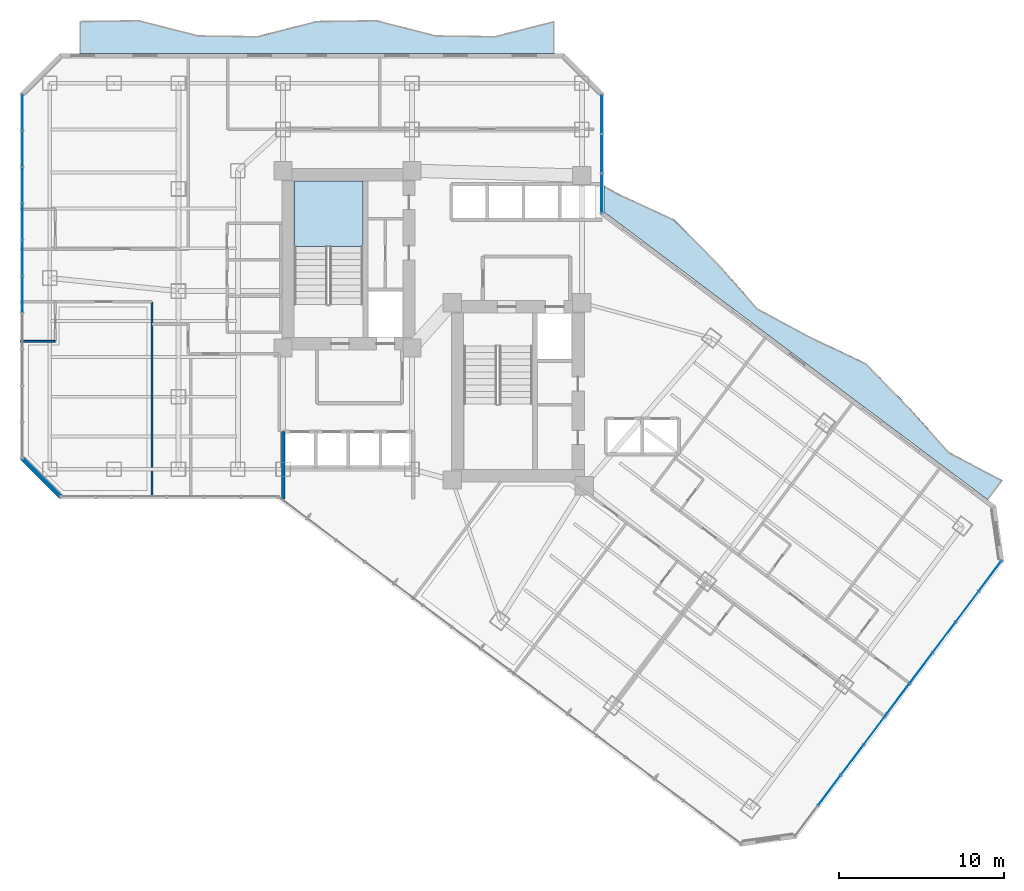
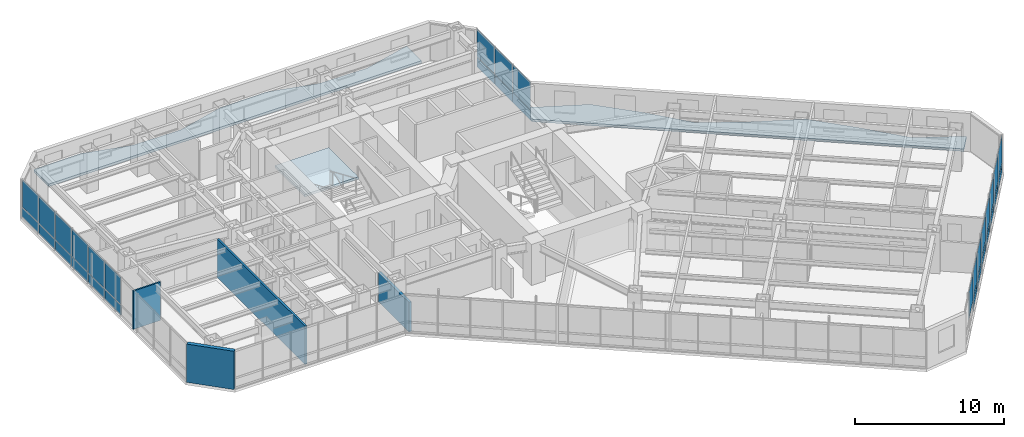
# One storey, part 27 of 36: 33 plates, 4 walls, 3 slabs, 4 elements without a shape of their own.
"""IFC4 building model written with IfcOpenShell, lengths in metres."""

from ifc_helpers import new_model, si_unit, direction, frame, frame_2d, origin, origin_2d, place, context, subcontext, project, spatial, polyline, rectangle, outline, extrude, material, layer, layer_set, type_object, element, aggregate, save


model = new_model("IFC4")

# Units and contexts
model_context = context("Model", 3, precision=1e-05, world=origin(), true_north=direction((0.0, 1.0)))
body_context = subcontext(model_context, "Body", "Model", "MODEL_VIEW")
ifc_project = project(units=[si_unit("LENGTHUNIT", "METRE"), si_unit("AREAUNIT", "SQUARE_METRE"), si_unit("VOLUMEUNIT", "CUBIC_METRE"), si_unit("PLANEANGLEUNIT", "RADIAN"), si_unit("MASSUNIT", "GRAM", prefix="KILO")], contexts=[model_context])

# Site, building, storey
site_placement = place(None, origin())
site = spatial("IfcSite", under=ifc_project, at=site_placement, CompositionType="ELEMENT")
building_placement = place(site_placement, origin())
building = spatial("IfcBuilding", under=site, at=building_placement, Name="Hatsunagi Terrace Concourse", CompositionType="ELEMENT")
storey_placement = place(building_placement, frame((0.0, 0.0, 84.64990234375)))
storey = spatial("IfcBuildingStorey", under=building, at=storey_placement, Name="L22", CompositionType="ELEMENT", Elevation=84.64990234375)

# Curtain wall, plates
ifc_material_1 = material(Name="Anodised Aluminium Alloy 6063-T5", Category="aluminium")
ifc_layer_1 = layer(ifc_material_1, 0.199951171875)
ifc_layer_set_1 = layer_set([ifc_layer_1], Name="HotelFacade_CW02")
curtain_wall_type = type_object("IfcCurtainWallType", Name="HotelFacade_CW02", PredefinedType="NOTDEFINED", material=ifc_layer_set_1)
curtain_wall_1_placement = place(storey_placement, origin())
curtain_wall_1 = element("IfcCurtainWall", 1, at=curtain_wall_1_placement, inside=storey, type_object=curtain_wall_type, Name="Unitised Curtain Wall CW-02 CW-L22-03", PredefinedType="NOTDEFINED")
ifc_material_2 = material(Name="Warm Terracotta Ceramic Spandrel Panel", Category="masonry")
ifc_layer_2 = layer(ifc_material_2, 0.031982421875)
ifc_layer_set_2 = layer_set([ifc_layer_2], Name="CurtainWallSpandrelPanel_32")
plate_type_1 = type_object("IfcPlateType", Name="CurtainWallSpandrelPanel_32", PredefinedType="SHEET", material=ifc_layer_set_2)
plate_1_placement = place(storey_placement, frame((68.39697265625, 18.72998046875, 0.030029296875), z_axis=(0.0, 0.0, 1.0), x_axis=(-0.599969314634, -0.800023013105, 0.0)))
plate_1 = element("IfcPlate", 2, at=plate_1_placement, type_object=plate_type_1, Name="Terracotta Spandrel Panel SPN-01", PredefinedType="SHEET", context=body_context, shape_type="SweptSolid", body=[
    extrude(rectangle(XDim=2.264892578125, YDim=0.031982421875, at=origin_2d()), origin(), (0.0, 0.0, 1.0), 0.7900390625),
])
plate_2_placement = place(storey_placement, frame((67.0048828125, 16.873046875, 0.030029296875), z_axis=(0.0, 0.0, 1.0), x_axis=(-0.599969314634, -0.800023013105, 0.0)))
plate_2 = element("IfcPlate", 3, at=plate_2_placement, type_object=plate_type_1, Name="Terracotta Spandrel Panel SPN-01", PredefinedType="SHEET", context=body_context, shape_type="SweptSolid", body=[
    extrude(rectangle(XDim=2.264892578125, YDim=0.031982421875, at=origin_2d()), origin(), (0.0, 0.0, 1.0), 0.7900390625),
])
plate_3_placement = place(storey_placement, frame((65.612060546875, 15.01708984375, 0.030029296875), z_axis=(0.0, 0.0, 1.0), x_axis=(-0.599969314634, -0.800023013105, 0.0)))
plate_3 = element("IfcPlate", 4, at=plate_3_placement, type_object=plate_type_1, Name="Terracotta Spandrel Panel SPN-01", PredefinedType="SHEET", context=body_context, shape_type="SweptSolid", body=[
    extrude(rectangle(XDim=2.264892578125, YDim=0.031982421875, at=origin_2d()), origin(), (0.0, 0.0, 1.0), 0.7900390625),
])
plate_4_placement = place(storey_placement, frame((64.219970703125, 13.159912109375, 0.030029296875), z_axis=(0.0, 0.0, 1.0), x_axis=(-0.599969314634, -0.800023013105, 0.0)))
plate_4 = element("IfcPlate", 5, at=plate_4_placement, type_object=plate_type_1, Name="Terracotta Spandrel Panel SPN-01", PredefinedType="SHEET", context=body_context, shape_type="SweptSolid", body=[
    extrude(rectangle(XDim=2.264892578125, YDim=0.031982421875, at=origin_2d()), origin(), (0.0, 0.0, 1.0), 0.7900390625),
])
plate_5_placement = place(storey_placement, frame((62.827880859375, 11.303955078125, 0.030029296875), z_axis=(0.0, 0.0, 1.0), x_axis=(-0.599969314634, -0.800023013105, 0.0)))
plate_5 = element("IfcPlate", 6, at=plate_5_placement, type_object=plate_type_1, Name="Terracotta Spandrel Panel SPN-01", PredefinedType="SHEET", context=body_context, shape_type="SweptSolid", body=[
    extrude(rectangle(XDim=2.264892578125, YDim=0.031982421875, at=origin_2d()), origin(), (0.0, 0.0, 1.0), 0.7900390625),
])
plate_6_placement = place(storey_placement, frame((61.43603515625, 9.447998046875, 0.030029296875), z_axis=(0.0, 0.0, 1.0), x_axis=(-0.599969314634, -0.800023013105, 0.0)))
plate_6 = element("IfcPlate", 7, at=plate_6_placement, type_object=plate_type_1, Name="Terracotta Spandrel Panel SPN-01", PredefinedType="SHEET", context=body_context, shape_type="SweptSolid", body=[
    extrude(rectangle(XDim=2.264892578125, YDim=0.031982421875, at=origin_2d()), origin(), (0.0, 0.0, 1.0), 0.7900390625),
])
plate_7_placement = place(storey_placement, frame((60.0439453125, 7.591064453125, 0.030029296875), z_axis=(0.0, 0.0, 1.0), x_axis=(-0.599969314634, -0.800023013105, 0.0)))
plate_7 = element("IfcPlate", 8, at=plate_7_placement, type_object=plate_type_1, Name="Terracotta Spandrel Panel SPN-01", PredefinedType="SHEET", context=body_context, shape_type="SweptSolid", body=[
    extrude(rectangle(XDim=2.264892578125, YDim=0.031982421875, at=origin_2d()), origin(), (0.0, 0.0, 1.0), 0.7900390625),
])

curtain_wall_2_placement = place(storey_placement, origin())
curtain_wall_2 = element("IfcCurtainWall", 9, at=curtain_wall_2_placement, inside=storey, type_object=curtain_wall_type, Name="Unitised Curtain Wall CW-02 CW-L22-09", PredefinedType="NOTDEFINED")
plate_8_placement = place(storey_placement, frame((9.739990234375, 35.7958984375, 0.030029296875), z_axis=(0.0, 0.0, 1.0), x_axis=(0.0, 1.0, 0.0)))
plate_8 = element("IfcPlate", 10, at=plate_8_placement, type_object=plate_type_1, Name="Terracotta Spandrel Panel SPN-01", PredefinedType="SHEET", context=body_context, shape_type="SweptSolid", body=[
    extrude(rectangle(XDim=2.153076171875, YDim=0.031982421875, at=origin_2d()), origin(), (0.0, 0.0, 1.0), 0.7900390625),
])
plate_9_placement = place(storey_placement, frame((9.739990234375, 38.00390625, 0.030029296875), z_axis=(0.0, 0.0, 1.0), x_axis=(0.0, 1.0, 0.0)))
plate_9 = element("IfcPlate", 11, at=plate_9_placement, type_object=plate_type_1, Name="Terracotta Spandrel Panel SPN-01", PredefinedType="SHEET", context=body_context, shape_type="SweptSolid", body=[
    extrude(rectangle(XDim=2.153076171875, YDim=0.031982421875, at=origin_2d()), origin(), (0.0, 0.0, 1.0), 0.7900390625),
])
plate_10_placement = place(storey_placement, frame((9.739990234375, 40.212890625, 0.030029296875), z_axis=(0.0, 0.0, 1.0), x_axis=(0.0, 1.0, 0.0)))
plate_10 = element("IfcPlate", 12, at=plate_10_placement, type_object=plate_type_1, Name="Terracotta Spandrel Panel SPN-01", PredefinedType="SHEET", context=body_context, shape_type="SweptSolid", body=[
    extrude(rectangle(XDim=2.153076171875, YDim=0.031982421875, at=origin_2d()), origin(), (0.0, 0.0, 1.0), 0.7900390625),
])
plate_11_placement = place(storey_placement, frame((9.739990234375, 42.4208984375, 0.030029296875), z_axis=(0.0, 0.0, 1.0), x_axis=(0.0, 1.0, 0.0)))
plate_11 = element("IfcPlate", 13, at=plate_11_placement, type_object=plate_type_1, Name="Terracotta Spandrel Panel SPN-01", PredefinedType="SHEET", context=body_context, shape_type="SweptSolid", body=[
    extrude(rectangle(XDim=2.153076171875, YDim=0.031982421875, at=origin_2d()), origin(), (0.0, 0.0, 1.0), 0.7900390625),
])
plate_12_placement = place(storey_placement, frame((9.739990234375, 44.62890625, 0.030029296875), z_axis=(0.0, 0.0, 1.0), x_axis=(0.0, 1.0, 0.0)))
plate_12 = element("IfcPlate", 14, at=plate_12_placement, type_object=plate_type_1, Name="Terracotta Spandrel Panel SPN-01", PredefinedType="SHEET", context=body_context, shape_type="SweptSolid", body=[
    extrude(rectangle(XDim=2.153076171875, YDim=0.031982421875, at=origin_2d()), origin(), (0.0, 0.0, 1.0), 0.7900390625),
])
plate_13_placement = place(storey_placement, frame((9.739990234375, 46.837890625, 0.030029296875), z_axis=(0.0, 0.0, 1.0), x_axis=(0.0, 1.0, 0.0)))
plate_13 = element("IfcPlate", 15, at=plate_13_placement, type_object=plate_type_1, Name="Terracotta Spandrel Panel SPN-01", PredefinedType="SHEET", context=body_context, shape_type="SweptSolid", body=[
    extrude(rectangle(XDim=2.153076171875, YDim=0.031982421875, at=origin_2d()), origin(), (0.0, 0.0, 1.0), 0.7900390625),
])

curtain_wall_3_placement = place(storey_placement, origin())
curtain_wall_3 = element("IfcCurtainWall", 16, at=curtain_wall_3_placement, inside=storey, type_object=curtain_wall_type, Name="Unitised Curtain Wall CW-02 CW-L22-13", PredefinedType="NOTDEFINED")
plate_14_placement = place(storey_placement, frame((44.860107421875, 46.739990234375, 0.030029296875), z_axis=(0.0, 0.0, 1.0), x_axis=(0.0, -1.0, 0.0)))
plate_14 = element("IfcPlate", 17, at=plate_14_placement, type_object=plate_type_1, Name="Terracotta Spandrel Panel SPN-01", PredefinedType="SHEET", context=body_context, shape_type="SweptSolid", body=[
    extrude(rectangle(XDim=2.34912109375, YDim=0.031982421875, at=origin_2d()), origin(), (0.0, 0.0, 1.0), 0.7900390625),
])
plate_15_placement = place(storey_placement, frame((44.860107421875, 44.3359375, 0.030029296875), z_axis=(0.0, 0.0, 1.0), x_axis=(0.0, -1.0, 0.0)))
plate_15 = element("IfcPlate", 18, at=plate_15_placement, type_object=plate_type_1, Name="Terracotta Spandrel Panel SPN-01", PredefinedType="SHEET", context=body_context, shape_type="SweptSolid", body=[
    extrude(rectangle(XDim=2.34912109375, YDim=0.031982421875, at=origin_2d()), origin(), (0.0, 0.0, 1.0), 0.7900390625),
])
plate_16_placement = place(storey_placement, frame((44.860107421875, 41.931884765625, 0.030029296875), z_axis=(0.0, 0.0, 1.0), x_axis=(0.0, -1.0, 0.0)))
plate_16 = element("IfcPlate", 19, at=plate_16_placement, type_object=plate_type_1, Name="Terracotta Spandrel Panel SPN-01", PredefinedType="SHEET", context=body_context, shape_type="SweptSolid", body=[
    extrude(rectangle(XDim=2.34912109375, YDim=0.031982421875, at=origin_2d()), origin(), (0.0, 0.0, 1.0), 0.7900390625),
])

# Plate
ifc_material_3 = material(Name="Low-E Double Insulating Glass 28mm", Category="glass")
ifc_layer_3 = layer(ifc_material_3, 0.028076171875)
ifc_layer_set_3 = layer_set([ifc_layer_3], Name="CurtainWallVisionGlass_28")
plate_type_2 = type_object("IfcPlateType", Name="CurtainWallVisionGlass_28", PredefinedType="CURTAIN_PANEL", material=ifc_layer_set_3)
plate_17_placement = place(storey_placement, frame((68.39697265625, 18.72998046875, 0.8798828125), z_axis=(0.0, 0.0, 1.0), x_axis=(-0.599969314634, -0.800023013105, 0.0)))
plate_17 = element("IfcPlate", 20, at=plate_17_placement, type_object=plate_type_2, Name="Low-E Vision Glass Panel GLZ-01", PredefinedType="CURTAIN_PANEL", context=body_context, shape_type="SweptSolid", body=[
    extrude(rectangle(XDim=2.264892578125, YDim=0.028076171875, at=origin_2d()), origin(), (0.0, 0.0, 1.0), 2.219970703125),
])

plate_18_placement = place(storey_placement, frame((67.0048828125, 16.873046875, 0.8798828125), z_axis=(0.0, 0.0, 1.0), x_axis=(-0.599969314634, -0.800023013105, 0.0)))
plate_18 = element("IfcPlate", 21, at=plate_18_placement, type_object=plate_type_2, Name="Low-E Vision Glass Panel GLZ-01", PredefinedType="CURTAIN_PANEL", context=body_context, shape_type="SweptSolid", body=[
    extrude(rectangle(XDim=2.264892578125, YDim=0.028076171875, at=origin_2d()), origin(), (0.0, 0.0, 1.0), 2.219970703125),
])

plate_19_placement = place(storey_placement, frame((65.612060546875, 15.01708984375, 0.8798828125), z_axis=(0.0, 0.0, 1.0), x_axis=(-0.599969314634, -0.800023013105, 0.0)))
plate_19 = element("IfcPlate", 22, at=plate_19_placement, type_object=plate_type_2, Name="Low-E Vision Glass Panel GLZ-01", PredefinedType="CURTAIN_PANEL", context=body_context, shape_type="SweptSolid", body=[
    extrude(rectangle(XDim=2.264892578125, YDim=0.028076171875, at=origin_2d()), origin(), (0.0, 0.0, 1.0), 2.219970703125),
])

plate_20_placement = place(storey_placement, frame((64.219970703125, 13.159912109375, 0.8798828125), z_axis=(0.0, 0.0, 1.0), x_axis=(-0.599969314634, -0.800023013105, 0.0)))
plate_20 = element("IfcPlate", 23, at=plate_20_placement, type_object=plate_type_2, Name="Low-E Vision Glass Panel GLZ-01", PredefinedType="CURTAIN_PANEL", context=body_context, shape_type="SweptSolid", body=[
    extrude(rectangle(XDim=2.264892578125, YDim=0.028076171875, at=origin_2d()), origin(), (0.0, 0.0, 1.0), 2.219970703125),
])

plate_21_placement = place(storey_placement, frame((62.827880859375, 11.303955078125, 0.8798828125), z_axis=(0.0, 0.0, 1.0), x_axis=(-0.599969314634, -0.800023013105, 0.0)))
plate_21 = element("IfcPlate", 24, at=plate_21_placement, type_object=plate_type_2, Name="Low-E Vision Glass Panel GLZ-01", PredefinedType="CURTAIN_PANEL", context=body_context, shape_type="SweptSolid", body=[
    extrude(rectangle(XDim=2.264892578125, YDim=0.028076171875, at=origin_2d()), origin(), (0.0, 0.0, 1.0), 2.219970703125),
])

plate_22_placement = place(storey_placement, frame((61.43603515625, 9.447998046875, 0.8798828125), z_axis=(0.0, 0.0, 1.0), x_axis=(-0.599969314634, -0.800023013105, 0.0)))
plate_22 = element("IfcPlate", 25, at=plate_22_placement, type_object=plate_type_2, Name="Low-E Vision Glass Panel GLZ-01", PredefinedType="CURTAIN_PANEL", context=body_context, shape_type="SweptSolid", body=[
    extrude(rectangle(XDim=2.264892578125, YDim=0.028076171875, at=origin_2d()), origin(), (0.0, 0.0, 1.0), 2.219970703125),
])

plate_23_placement = place(storey_placement, frame((60.0439453125, 7.591064453125, 0.8798828125), z_axis=(0.0, 0.0, 1.0), x_axis=(-0.599969314634, -0.800023013105, 0.0)))
plate_23 = element("IfcPlate", 26, at=plate_23_placement, type_object=plate_type_2, Name="Low-E Vision Glass Panel GLZ-01", PredefinedType="CURTAIN_PANEL", context=body_context, shape_type="SweptSolid", body=[
    extrude(rectangle(XDim=2.264892578125, YDim=0.028076171875, at=origin_2d()), origin(), (0.0, 0.0, 1.0), 2.219970703125),
])

plate_24_placement = place(storey_placement, frame((58.65087890625, 5.735107421875, 0.8798828125), z_axis=(0.0, 0.0, 1.0), x_axis=(-0.599969314634, -0.800023013105, 0.0)))
plate_24 = element("IfcPlate", 27, at=plate_24_placement, type_object=plate_type_2, Name="Low-E Vision Glass Panel GLZ-01", PredefinedType="CURTAIN_PANEL", context=body_context, shape_type="SweptSolid", body=[
    extrude(rectangle(XDim=2.264892578125, YDim=0.028076171875, at=origin_2d()), origin(), (0.0, 0.0, 1.0), 2.219970703125),
])

aggregate(curtain_wall_1, [plate_1, plate_17, plate_2, plate_18, plate_3, plate_19, plate_4, plate_20, plate_5, plate_21, plate_6, plate_22, plate_7, plate_23, plate_24])

plate_25_placement = place(storey_placement, frame((9.739990234375, 35.7958984375, 0.8798828125), z_axis=(0.0, 0.0, 1.0), x_axis=(0.0, 1.0, 0.0)))
plate_25 = element("IfcPlate", 28, at=plate_25_placement, type_object=plate_type_2, Name="Low-E Vision Glass Panel GLZ-01", PredefinedType="CURTAIN_PANEL", context=body_context, shape_type="SweptSolid", body=[
    extrude(rectangle(XDim=2.153076171875, YDim=0.028076171875, at=origin_2d()), origin(), (0.0, 0.0, 1.0), 2.219970703125),
])

plate_26_placement = place(storey_placement, frame((9.739990234375, 38.00390625, 0.8798828125), z_axis=(0.0, 0.0, 1.0), x_axis=(0.0, 1.0, 0.0)))
plate_26 = element("IfcPlate", 29, at=plate_26_placement, type_object=plate_type_2, Name="Low-E Vision Glass Panel GLZ-01", PredefinedType="CURTAIN_PANEL", context=body_context, shape_type="SweptSolid", body=[
    extrude(rectangle(XDim=2.153076171875, YDim=0.028076171875, at=origin_2d()), origin(), (0.0, 0.0, 1.0), 2.219970703125),
])

plate_27_placement = place(storey_placement, frame((9.739990234375, 40.212890625, 0.8798828125), z_axis=(0.0, 0.0, 1.0), x_axis=(0.0, 1.0, 0.0)))
plate_27 = element("IfcPlate", 30, at=plate_27_placement, type_object=plate_type_2, Name="Low-E Vision Glass Panel GLZ-01", PredefinedType="CURTAIN_PANEL", context=body_context, shape_type="SweptSolid", body=[
    extrude(rectangle(XDim=2.153076171875, YDim=0.028076171875, at=origin_2d()), origin(), (0.0, 0.0, 1.0), 2.219970703125),
])

plate_28_placement = place(storey_placement, frame((9.739990234375, 42.4208984375, 0.8798828125), z_axis=(0.0, 0.0, 1.0), x_axis=(0.0, 1.0, 0.0)))
plate_28 = element("IfcPlate", 31, at=plate_28_placement, type_object=plate_type_2, Name="Low-E Vision Glass Panel GLZ-01", PredefinedType="CURTAIN_PANEL", context=body_context, shape_type="SweptSolid", body=[
    extrude(rectangle(XDim=2.153076171875, YDim=0.028076171875, at=origin_2d()), origin(), (0.0, 0.0, 1.0), 2.219970703125),
])

plate_29_placement = place(storey_placement, frame((9.739990234375, 44.62890625, 0.8798828125), z_axis=(0.0, 0.0, 1.0), x_axis=(0.0, 1.0, 0.0)))
plate_29 = element("IfcPlate", 32, at=plate_29_placement, type_object=plate_type_2, Name="Low-E Vision Glass Panel GLZ-01", PredefinedType="CURTAIN_PANEL", context=body_context, shape_type="SweptSolid", body=[
    extrude(rectangle(XDim=2.153076171875, YDim=0.028076171875, at=origin_2d()), origin(), (0.0, 0.0, 1.0), 2.219970703125),
])

plate_30_placement = place(storey_placement, frame((9.739990234375, 46.837890625, 0.8798828125), z_axis=(0.0, 0.0, 1.0), x_axis=(0.0, 1.0, 0.0)))
plate_30 = element("IfcPlate", 33, at=plate_30_placement, type_object=plate_type_2, Name="Low-E Vision Glass Panel GLZ-01", PredefinedType="CURTAIN_PANEL", context=body_context, shape_type="SweptSolid", body=[
    extrude(rectangle(XDim=2.153076171875, YDim=0.028076171875, at=origin_2d()), origin(), (0.0, 0.0, 1.0), 2.219970703125),
])

aggregate(curtain_wall_2, [plate_8, plate_25, plate_9, plate_26, plate_10, plate_27, plate_11, plate_28, plate_12, plate_29, plate_13, plate_30])

plate_31_placement = place(storey_placement, frame((44.860107421875, 46.739990234375, 0.8798828125), z_axis=(0.0, 0.0, 1.0), x_axis=(0.0, -1.0, 0.0)))
plate_31 = element("IfcPlate", 34, at=plate_31_placement, type_object=plate_type_2, Name="Low-E Vision Glass Panel GLZ-01", PredefinedType="CURTAIN_PANEL", context=body_context, shape_type="SweptSolid", body=[
    extrude(rectangle(XDim=2.34912109375, YDim=0.028076171875, at=origin_2d()), origin(), (0.0, 0.0, 1.0), 2.219970703125),
])

plate_32_placement = place(storey_placement, frame((44.860107421875, 44.3359375, 0.8798828125), z_axis=(0.0, 0.0, 1.0), x_axis=(0.0, -1.0, 0.0)))
plate_32 = element("IfcPlate", 35, at=plate_32_placement, type_object=plate_type_2, Name="Low-E Vision Glass Panel GLZ-01", PredefinedType="CURTAIN_PANEL", context=body_context, shape_type="SweptSolid", body=[
    extrude(rectangle(XDim=2.34912109375, YDim=0.028076171875, at=origin_2d()), origin(), (0.0, 0.0, 1.0), 2.219970703125),
])

plate_33_placement = place(storey_placement, frame((44.860107421875, 41.931884765625, 0.8798828125), z_axis=(0.0, 0.0, 1.0), x_axis=(0.0, -1.0, 0.0)))
plate_33 = element("IfcPlate", 36, at=plate_33_placement, type_object=plate_type_2, Name="Low-E Vision Glass Panel GLZ-01", PredefinedType="CURTAIN_PANEL", context=body_context, shape_type="SweptSolid", body=[
    extrude(rectangle(XDim=2.34912109375, YDim=0.028076171875, at=origin_2d()), origin(), (0.0, 0.0, 1.0), 2.219970703125),
])

aggregate(curtain_wall_3, [plate_14, plate_31, plate_15, plate_32, plate_16, plate_33])

# Stair, slab
ifc_material_4 = material(Name="Concrete Fc42", Category="concrete")
stair_type = type_object("IfcStairType", Name="DoglegExitStair_Tower2000_20R_167", PredefinedType="HALF_TURN_STAIR", material=ifc_material_4)
stair_placement = place(storey_placement, origin())
stair = element("IfcStair", 37, at=stair_placement, inside=storey, type_object=stair_type, Name="L22 Core A Protected Exit Stair ST-A", PredefinedType="HALF_TURN_STAIR")
ifc_material_5 = material(Name="Concrete Fc42", Category="concrete")
ifc_layer_4 = layer(ifc_material_5, 0.199951171875)
ifc_layer_set_4 = layer_set([ifc_layer_4], Name="DoglegStairLanding_Tower2000")
slab_type_1 = type_object("IfcSlabType", Name="DoglegStairLanding_Tower2000", PredefinedType="LANDING", material=ifc_layer_set_4)
slab_1_placement = place(storey_placement, frame((0.0, 0.0, 1.47509765625)))
slab_1 = element("IfcSlab", 38, at=slab_1_placement, type_object=slab_type_1, Name="ST-A landing 1", PredefinedType="LANDING", context=body_context, shape_type="SweptSolid", body=[
    extrude(outline(polyline([(30.3798828125, 38.7099609375), (30.3798828125, 42.659912109375), (26.22998046875, 42.659912109375), (26.22998046875, 38.7099609375), (30.3798828125, 38.7099609375)])), origin(), (0.0, 0.0, 1.0), 0.199951171875),
])
aggregate(stair, [slab_1])

# Slabs
ifc_material_6 = material(Name="Concrete Fc42", Category="concrete")
ifc_layer_5 = layer(ifc_material_6, 0.199951171875)
ifc_layer_set_5 = layer_set([ifc_layer_5], Name="EngawaBalconySlab_Fc42_200")
slab_type_2 = type_object("IfcSlabType", Name="EngawaBalconySlab_Fc42_200", PredefinedType="FLOOR", material=ifc_layer_set_5)
slab_2_placement = place(storey_placement, frame((0.0, 0.0, -0.199951171875)))
element("IfcSlab", 39, at=slab_2_placement, inside=storey, type_object=slab_type_2, Name="Engawa Balcony Slab BAL-L22-BN", PredefinedType="FLOOR", context=body_context, shape_type="SweptSolid", body=[
    extrude(outline(polyline([(13.199951171875, 52.385009765625), (13.199951171875, 50.39990234375), (42.0, 50.39990234375), (42.0, 52.385009765625), (38.39990234375, 51.467041015625), (34.800048828125, 51.514892578125), (31.199951171875, 52.43310546875), (27.60009765625, 52.385009765625), (24.0, 51.467041015625), (20.39990234375, 51.514892578125), (16.800048828125, 52.43310546875), (13.199951171875, 52.385009765625)])), origin(), (0.0, 0.0, 1.0), 0.199951171875),
])
slab_3_placement = place(storey_placement, frame((0.0, 0.0, -0.199951171875)))
element("IfcSlab", 40, at=slab_3_placement, inside=storey, type_object=slab_type_2, Name="Engawa Balcony Slab BAL-L22-BSE", PredefinedType="FLOOR", context=body_context, shape_type="SweptSolid", body=[
    extrude(outline(polyline([(45.8740234375, 41.909912109375), (44.99609375, 42.39892578125), (44.99609375, 40.802978515625), (68.280029296875, 23.340087890625), (69.173095703125, 24.530029296875), (65.916015625, 26.242919921875), (63.445068359375, 29.0048828125), (60.8759765625, 31.635009765625), (57.52294921875, 33.219970703125), (54.2919921875, 34.967041015625), (51.841064453125, 37.7548828125), (49.24609375, 40.35009765625), (45.8740234375, 41.909912109375)])), origin(), (0.0, 0.0, 1.0), 0.199951171875),
])

# Walls
ifc_material_7 = material(Name="Acoustic mineral board", Category="gypsum")
ifc_layer_6 = layer(ifc_material_7, 0.1201171875)
ifc_layer_set_6 = layer_set([ifc_layer_6], Name="PartitionWall_EI30_120")
wall_type_1 = type_object("IfcWallType", Name="PartitionWall_EI30_120", PredefinedType="PARTITIONING", material=ifc_layer_set_6)
wall_1_placement = place(storey_placement, frame((9.639892578125, 32.949951171875, 0.0), z_axis=(0.0, 0.0, 1.0), x_axis=(1.0, 0.0, 0.0)))
element("IfcWall", 41, at=wall_1_placement, inside=storey, type_object=wall_type_1, Name="Interior Partition IW-L22-056", PredefinedType="PARTITIONING", context=body_context, shape_type="SweptSolid", body=[
    extrude(rectangle(XDim=2.110107421875, YDim=0.1201171875, at=frame_2d((1.05517578125, 0.0))), origin(), (0.0, 0.0, 1.0), 3.130126953125),
])
ifc_material_8 = material(Name="Acoustic mineral board", Category="gypsum")
ifc_layer_7 = layer(ifc_material_8, 0.14990234375)
ifc_layer_set_7 = layer_set([ifc_layer_7], Name="PartitionWall_EI60_150")
wall_type_2 = type_object("IfcWallType", Name="PartitionWall_EI60_150", PredefinedType="PARTITIONING", material=ifc_layer_set_7)
wall_2_placement = place(storey_placement, frame((17.60009765625, 23.60009765625, 0.0), z_axis=(0.0, 0.0, 1.0), x_axis=(0.0, 1.0, 0.0)))
element("IfcWall", 42, at=wall_2_placement, inside=storey, type_object=wall_type_2, Name="Interior Partition IW-L22-057", PredefinedType="PARTITIONING", context=body_context, shape_type="SweptSolid", body=[
    extrude(rectangle(XDim=11.75, YDim=0.14990234375, at=frame_2d((5.875, 0.0))), origin(), (0.0, 0.0, 1.0), 3.130126953125),
])
ifc_material_9 = material(Name="Acoustic mineral board", Category="gypsum")
ifc_layer_8 = layer(ifc_material_9, 0.199951171875)
ifc_layer_set_8 = layer_set([ifc_layer_8], Name="ShaftWall_EI120_200")
wall_type_3 = type_object("IfcWallType", Name="ShaftWall_EI120_200", PredefinedType="STANDARD", material=ifc_layer_set_8)
wall_3_placement = place(storey_placement, frame((25.550048828125, 23.39990234375, 0.0), z_axis=(0.0, 0.0, 1.0), x_axis=(0.0, 1.0, 0.0)))
element("IfcWall", 43, at=wall_3_placement, inside=storey, type_object=wall_type_3, Name="Interior Partition IW-L22-012", PredefinedType="STANDARD", context=body_context, shape_type="SweptSolid", body=[
    extrude(rectangle(XDim=4.080078125, YDim=0.199951171875, at=frame_2d((2.0400390625, 0.0))), origin(), (0.0, 0.0, 1.0), 2.425048828125),
])
ifc_material_10 = material(Name="Autoclaved Lightweight Concrete and Terracotta Cladding", Category="masonry")
ifc_layer_9 = layer(ifc_material_10, 0.280029296875)
ifc_layer_set_9 = layer_set([ifc_layer_9], Name="TerracottaSpandrelWall_280")
wall_type_4 = type_object("IfcWallType", Name="TerracottaSpandrelWall_280", PredefinedType="STANDARD", material=ifc_layer_set_9)
wall_4_placement = place(storey_placement, frame((12.05810546875, 23.5400390625, 0.0), z_axis=(0.0, 0.0, 1.0), x_axis=(-0.707144017911, 0.707069542501, 0.0)))
element("IfcWall", 44, at=wall_4_placement, inside=storey, type_object=wall_type_4, Name="Exterior Spandrel Wall EW-L22-08", PredefinedType="STANDARD", context=body_context, shape_type="SweptSolid", body=[
    extrude(rectangle(XDim=3.278076171875, YDim=0.280029296875, at=frame_2d((1.63916015625, 0.0))), origin(), (0.0, 0.0, 1.0), 3.130126953125),
])

save(model, "model.ifc")
